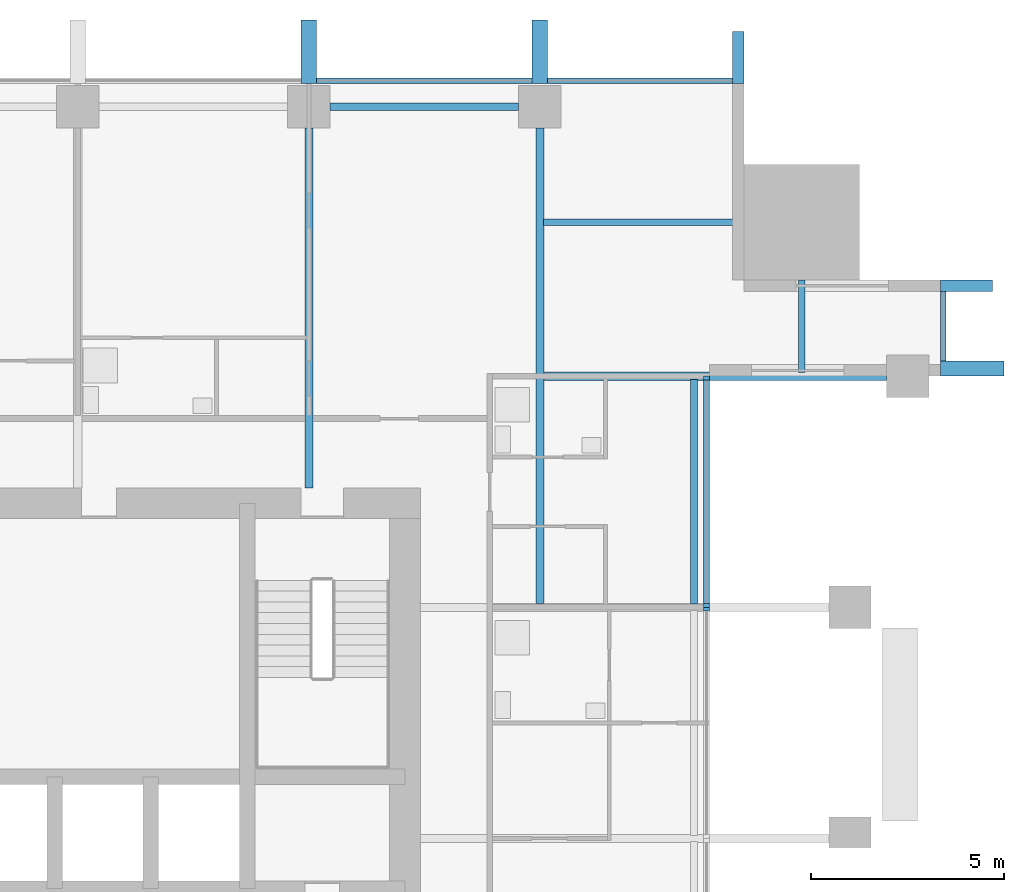
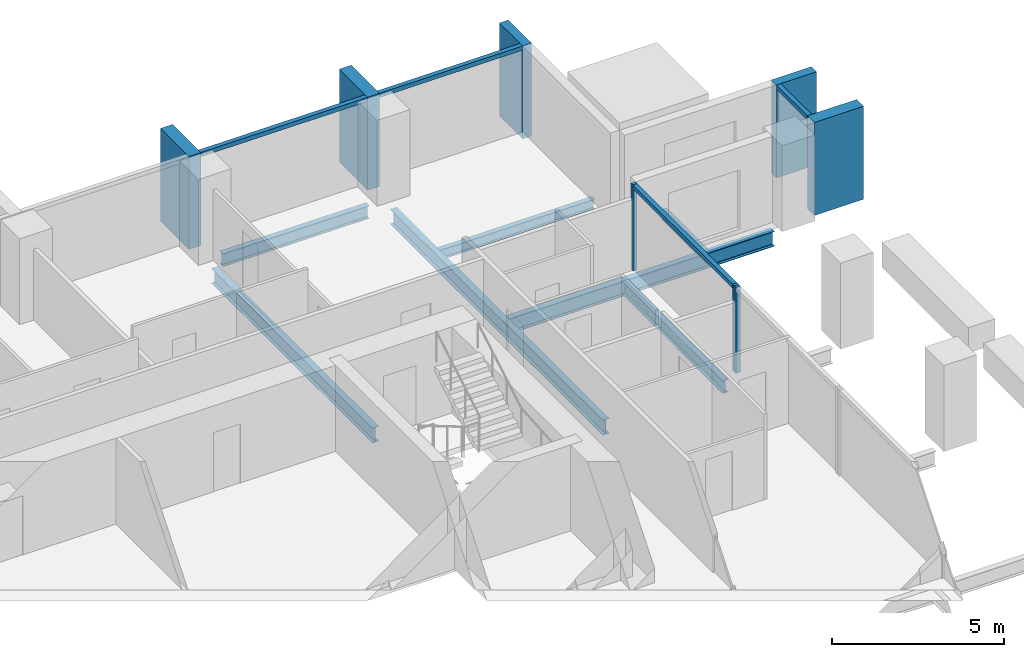
# One storey, part 5 of 13: 12 members, 7 beams, 4 elements without a shape of their own.
"""IFC4 building model written with IfcOpenShell, lengths in metres."""

from ifc_helpers import new_model, si_unit, direction, frame, origin, origin_2d, place, context, subcontext, project, spatial, rectangle, i_section, extrude, material, material_profile, profile_set, type_object, element, aggregate, save


model = new_model("IFC4")

# Units and contexts
model_context = context("Model", 3, precision=1e-05, world=origin(), true_north=direction((0.0, 1.0)))
body_context = subcontext(model_context, "Body", "Model", "MODEL_VIEW")
ifc_project = project(units=[si_unit("LENGTHUNIT", "METRE"), si_unit("AREAUNIT", "SQUARE_METRE"), si_unit("VOLUMEUNIT", "CUBIC_METRE"), si_unit("PLANEANGLEUNIT", "RADIAN"), si_unit("MASSUNIT", "GRAM", prefix="KILO")], contexts=[model_context])

# Site, building, storey
site_placement = place(None, origin())
site = spatial("IfcSite", under=ifc_project, at=site_placement, CompositionType="ELEMENT")
building_placement = place(site_placement, origin())
building = spatial("IfcBuilding", under=site, at=building_placement, Name="Amberfall Residences", CompositionType="ELEMENT")
storey_placement = place(building_placement, frame((0.0, 0.0, 111.699951171875)))
storey = spatial("IfcBuildingStorey", under=building, at=storey_placement, Name="L30", CompositionType="ELEMENT", Elevation=111.699951171875)

# Curtain wall, member
ifc_material_1 = material(Name="Bronze anodised aluminium and glass", Category="aluminium")
curtain_wall_type_1 = type_object("IfcCurtainWallType", Name="Curtain wall CW1 tower unit", PredefinedType="USERDEFINED", material=ifc_material_1)
curtain_wall_1_placement = place(storey_placement, origin())
curtain_wall_1 = element("IfcCurtainWall", 1, at=curtain_wall_1_placement, inside=storey, type_object=curtain_wall_type_1, Name="Curtain wall L30 E E9", ObjectType="UNITISED CURTAIN WALL", PredefinedType="USERDEFINED")
ifc_material_2 = material(Name="Bronze anodised aluminium", Category="aluminium")
ifc_material_profile_1 = material_profile(ifc_material_2, rectangle(XDim=0.14990234375, YDim=0.14990234375, at=origin_2d()), Name="CW1 transom 150 x 150 bronze")
ifc_profile_set_1 = profile_set([ifc_material_profile_1], Name="Bronze anodised aluminium")
member_type_1 = type_object("IfcMemberType", Name="CW1 transom 150 x 150 bronze", PredefinedType="USERDEFINED", material=ifc_profile_set_1)
member_1_placement = place(storey_placement, frame((100.074951171875, 60.800048828125, 2.97509765625), z_axis=(0.0, 1.0, 0.0), x_axis=(-1.0, 0.0, 0.0)))
member_1 = element("IfcMember", 2, at=member_1_placement, type_object=member_type_1, Name="CW1 transom 1.1", ObjectType="TRANSOM", PredefinedType="USERDEFINED", context=body_context, shape_type="SweptSolid", body=[
    extrude(rectangle(XDim=0.14990234375, YDim=0.14990234375, at=origin_2d()), origin(), (0.0, 0.0, 1.0), 1.800048828125),
])

# Curtain wall, members
curtain_wall_2_placement = place(storey_placement, origin())
curtain_wall_2 = element("IfcCurtainWall", 3, at=curtain_wall_2_placement, inside=storey, type_object=curtain_wall_type_1, Name="Curtain wall L30 N N1", ObjectType="UNITISED CURTAIN WALL", PredefinedType="USERDEFINED")
member_2_placement = place(storey_placement, frame((94.60009765625, 68.074951171875, 2.97509765625), z_axis=(-1.0, 0.0, 0.0), x_axis=(0.0, -1.0, 0.0)))
member_2 = element("IfcMember", 4, at=member_2_placement, type_object=member_type_1, Name="CW1 transom 1.1", ObjectType="TRANSOM", PredefinedType="USERDEFINED", context=body_context, shape_type="SweptSolid", body=[
    extrude(rectangle(XDim=0.14990234375, YDim=0.14990234375, at=origin_2d()), origin(), (0.0, 0.0, 1.0), 4.800048828125),
])
member_3_placement = place(storey_placement, frame((89.39990234375, 68.074951171875, 2.97509765625), z_axis=(-1.0, 0.0, 0.0), x_axis=(0.0, -1.0, 0.0)))
member_3 = element("IfcMember", 5, at=member_3_placement, type_object=member_type_1, Name="CW1 transom 2.1", ObjectType="TRANSOM", PredefinedType="USERDEFINED", context=body_context, shape_type="SweptSolid", body=[
    extrude(rectangle(XDim=0.14990234375, YDim=0.14990234375, at=origin_2d()), origin(), (0.0, 0.0, 1.0), 5.599853515625),
])

# Curtain wall, member
curtain_wall_type_2 = type_object("IfcCurtainWallType", Name="Curtain wall CW3 sky garden glazing", PredefinedType="USERDEFINED", material=ifc_material_1)
curtain_wall_3_placement = place(storey_placement, origin())
curtain_wall_3 = element("IfcCurtainWall", 6, at=curtain_wall_3_placement, inside=storey, type_object=curtain_wall_type_2, Name="Curtain wall L30 E E6", ObjectType="UNITISED CURTAIN WALL", PredefinedType="USERDEFINED")
ifc_material_profile_2 = material_profile(ifc_material_2, rectangle(XDim=0.14990234375, YDim=0.10009765625, at=origin_2d()), Name="CW3 mullion 100 x 150 bronze")
ifc_profile_set_2 = profile_set([ifc_material_profile_2], Name="Bronze anodised aluminium")
member_type_2 = type_object("IfcMemberType", Name="CW3 mullion 100 x 150 bronze", PredefinedType="MULLION", material=ifc_profile_set_2)
member_4_placement = place(storey_placement, frame((93.925048828125, 54.35009765625, 0.0), z_axis=(0.0, 0.0, 1.0), x_axis=(-1.0, 0.0, 0.0)))
member_4 = element("IfcMember", 7, at=member_4_placement, type_object=member_type_2, Name="CW3 mullion 2", PredefinedType="MULLION", context=body_context, shape_type="SweptSolid", body=[
    extrude(rectangle(XDim=0.14990234375, YDim=0.10009765625, at=origin_2d()), origin(), (0.0, 0.0, 1.0), 3.050048828125),
])
aggregate(curtain_wall_3, [member_4])

# Curtain wall, members
curtain_wall_4_placement = place(storey_placement, origin())
curtain_wall_4 = element("IfcCurtainWall", 8, at=curtain_wall_4_placement, inside=storey, type_object=curtain_wall_type_2, Name="Curtain wall L30 E E7", ObjectType="UNITISED CURTAIN WALL", PredefinedType="USERDEFINED")
member_5_placement = place(storey_placement, frame((93.925048828125, 54.449951171875, 0.0), z_axis=(0.0, 0.0, 1.0), x_axis=(-1.0, 0.0, 0.0)))
member_5 = element("IfcMember", 9, at=member_5_placement, type_object=member_type_2, Name="CW3 mullion 1", PredefinedType="MULLION", context=body_context, shape_type="SweptSolid", body=[
    extrude(rectangle(XDim=0.14990234375, YDim=0.10009765625, at=origin_2d()), origin(), (0.0, 0.0, 1.0), 3.050048828125),
])
member_6_placement = place(storey_placement, frame((93.925048828125, 60.35009765625, 0.0), z_axis=(0.0, 0.0, 1.0), x_axis=(-1.0, 0.0, 0.0)))
member_6 = element("IfcMember", 10, at=member_6_placement, type_object=member_type_2, Name="CW3 mullion 2", PredefinedType="MULLION", context=body_context, shape_type="SweptSolid", body=[
    extrude(rectangle(XDim=0.14990234375, YDim=0.10009765625, at=origin_2d()), origin(), (0.0, 0.0, 1.0), 3.050048828125),
])
ifc_material_profile_3 = material_profile(ifc_material_2, rectangle(XDim=0.14990234375, YDim=0.14990234375, at=origin_2d()), Name="CW3 transom 150 x 150 bronze")
ifc_profile_set_3 = profile_set([ifc_material_profile_3], Name="Bronze anodised aluminium")
member_type_3 = type_object("IfcMemberType", Name="CW3 transom 150 x 150 bronze", PredefinedType="USERDEFINED", material=ifc_profile_set_3)
member_7_placement = place(storey_placement, frame((93.925048828125, 54.5, 2.97509765625), z_axis=(0.0, 1.0, 0.0), x_axis=(-1.0, 0.0, 0.0)))
member_7 = element("IfcMember", 11, at=member_7_placement, type_object=member_type_3, Name="CW3 transom 1.1", ObjectType="TRANSOM", PredefinedType="USERDEFINED", context=body_context, shape_type="SweptSolid", body=[
    extrude(rectangle(XDim=0.14990234375, YDim=0.14990234375, at=origin_2d()), origin(), (0.0, 0.0, 1.0), 5.800048828125),
])
aggregate(curtain_wall_4, [member_5, member_6, member_7])

# Member
ifc_material_profile_4 = material_profile(ifc_material_2, rectangle(XDim=1.35009765625, YDim=0.300048828125, at=origin_2d()), Name="Corner fin 300 x 1350 bronze")
ifc_profile_set_4 = profile_set([ifc_material_profile_4], Name="Bronze anodised aluminium")
member_type_4 = type_object("IfcMemberType", Name="Corner fin 300 x 1350 bronze", PredefinedType="MULLION", material=ifc_profile_set_4)
member_8_placement = place(storey_placement, frame((100.675048828125, 62.75, -0.25), z_axis=(0.0, 0.0, 1.0), x_axis=(-1.0, 0.0, 0.0)))
member_8 = element("IfcMember", 12, at=member_8_placement, type_object=member_type_4, Name="CW FIN 2", PredefinedType="MULLION", context=body_context, shape_type="SweptSolid", body=[
    extrude(rectangle(XDim=1.35009765625, YDim=0.300048828125, at=origin_2d()), origin(), (0.0, 0.0, 1.0), 3.300048828125),
])

member_9_placement = place(storey_placement, frame((94.75, 68.675048828125, -0.25), z_axis=(0.0, 0.0, 1.0), x_axis=(0.0, -1.0, 0.0)))
member_9 = element("IfcMember", 13, at=member_9_placement, type_object=member_type_4, Name="CW FIN 1", PredefinedType="MULLION", context=body_context, shape_type="SweptSolid", body=[
    extrude(rectangle(XDim=1.35009765625, YDim=0.300048828125, at=origin_2d()), origin(), (0.0, 0.0, 1.0), 3.300048828125),
])

# Beams
ifc_material_3 = material(Name="Steel S355", Category="steel")
ifc_material_profile_5 = material_profile(ifc_material_3, i_section(OverallWidth=0.18994140625, OverallDepth=0.453369140625, WebThickness=0.008544921875, FlangeThickness=0.0126953125, FilletRadius=0.01025390625, at=origin_2d()), Name="UB 457x191x67")
ifc_profile_set_5 = profile_set([ifc_material_profile_5], Name="Steel S355")
beam_type_1 = type_object("IfcBeamType", Name="Edge beam UB 457x191x67", PredefinedType="SPANDREL", material=ifc_profile_set_5)
beam_1_placement = place(storey_placement, frame((93.60009765625, 54.47998046875, -0.4765625), z_axis=(0.0, 1.0, 0.0), x_axis=(-1.0, 0.0, 0.0)))
element("IfcBeam", 14, at=beam_1_placement, inside=storey, type_object=beam_type_1, Name="Edge beam B1 L30 16", PredefinedType="SPANDREL", context=body_context, shape_type="SweptSolid", body=[
    extrude(i_section(OverallWidth=0.18994140625, OverallDepth=0.453369140625, WebThickness=0.008544921875, FlangeThickness=0.0126953125, FilletRadius=0.01025390625, at=origin_2d()), origin(), (0.0, 0.0, 1.0), 5.840087890625),
])
beam_2_placement = place(storey_placement, frame((84.14990234375, 67.39990234375, -0.4765625), z_axis=(1.0, 0.0, 0.0), x_axis=(0.0, 1.0, 0.0)))
element("IfcBeam", 15, at=beam_2_placement, inside=storey, type_object=beam_type_1, Name="Edge beam B1 L30 27", PredefinedType="SPANDREL", context=body_context, shape_type="SweptSolid", body=[
    extrude(i_section(OverallWidth=0.18994140625, OverallDepth=0.453369140625, WebThickness=0.008544921875, FlangeThickness=0.0126953125, FilletRadius=0.01025390625, at=origin_2d()), origin(), (0.0, 0.0, 1.0), 4.900146484375),
])

# Member
ifc_material_profile_6 = material_profile(ifc_material_2, rectangle(XDim=1.64990234375, YDim=0.39990234375, at=origin_2d()), Name="Fin 400 x 1650 bronze")
ifc_profile_set_6 = profile_set([ifc_material_profile_6], Name="Bronze anodised aluminium")
member_type_5 = type_object("IfcMemberType", Name="Fin 400 x 1650 bronze", PredefinedType="MULLION", material=ifc_profile_set_6)
member_10_placement = place(storey_placement, frame((100.824951171875, 60.60009765625, -0.25), z_axis=(0.0, 0.0, 1.0), x_axis=(-1.0, 0.0, 0.0)))
member_10 = element("IfcMember", 16, at=member_10_placement, type_object=member_type_5, Name="CW FIN 1", PredefinedType="MULLION", context=body_context, shape_type="SweptSolid", body=[
    extrude(rectangle(XDim=1.64990234375, YDim=0.39990234375, at=origin_2d()), origin(), (0.0, 0.0, 1.0), 3.300048828125),
])

aggregate(curtain_wall_1, [member_10, member_8, member_1])

member_11_placement = place(storey_placement, frame((89.60009765625, 68.824951171875, -0.25), z_axis=(0.0, 0.0, 1.0), x_axis=(0.0, -1.0, 0.0)))
member_11 = element("IfcMember", 17, at=member_11_placement, type_object=member_type_5, Name="CW FIN 2", PredefinedType="MULLION", context=body_context, shape_type="SweptSolid", body=[
    extrude(rectangle(XDim=1.64990234375, YDim=0.39990234375, at=origin_2d()), origin(), (0.0, 0.0, 1.0), 3.300048828125),
])

member_12_placement = place(storey_placement, frame((83.60009765625, 68.824951171875, -0.25), z_axis=(0.0, 0.0, 1.0), x_axis=(0.0, -1.0, 0.0)))
member_12 = element("IfcMember", 18, at=member_12_placement, type_object=member_type_5, Name="CW FIN 3", PredefinedType="MULLION", context=body_context, shape_type="SweptSolid", body=[
    extrude(rectangle(XDim=1.64990234375, YDim=0.39990234375, at=origin_2d()), origin(), (0.0, 0.0, 1.0), 3.300048828125),
])

aggregate(curtain_wall_2, [member_9, member_11, member_12, member_2, member_3])

# Beams
ifc_material_profile_7 = material_profile(ifc_material_3, i_section(OverallWidth=0.210693359375, OverallDepth=0.53955078125, WebThickness=0.01171875, FlangeThickness=0.018798828125, FilletRadius=0.0126953125, at=origin_2d()), Name="UB 533x210x109")
ifc_profile_set_7 = profile_set([ifc_material_profile_7], Name="Steel S355")
beam_type_2 = type_object("IfcBeamType", Name="Floor girder UB 533x210x109", PredefinedType="BEAM", material=ifc_profile_set_7)
beam_3_placement = place(storey_placement, frame((89.60009765625, 66.85009765625, -0.519775390625), z_axis=(0.0, -1.0, 0.0), x_axis=(1.0, 0.0, 0.0)))
element("IfcBeam", 19, at=beam_3_placement, inside=storey, type_object=beam_type_2, Name="Floor girder B2 L30 33", PredefinedType="BEAM", context=body_context, shape_type="SweptSolid", body=[
    extrude(i_section(OverallWidth=0.210693359375, OverallDepth=0.53955078125, WebThickness=0.01171875, FlangeThickness=0.018798828125, FilletRadius=0.0126953125, at=origin_2d()), origin(), (0.0, 0.0, 1.0), 12.3505859375),
])
ifc_material_profile_8 = material_profile(ifc_material_3, i_section(OverallWidth=0.209228515625, OverallDepth=0.533203125, WebThickness=0.010009765625, FlangeThickness=0.015625, FilletRadius=0.0126953125, at=origin_2d()), Name="UB 533x210x92")
ifc_profile_set_8 = profile_set([ifc_material_profile_8], Name="Steel S355")
beam_type_3 = type_object("IfcBeamType", Name="Floor girder UB 533x210x92", PredefinedType="BEAM", material=ifc_profile_set_8)
beam_4_placement = place(storey_placement, frame((98.60009765625, 60.39990234375, -0.5166015625), z_axis=(-1.0, 0.0, 0.0), x_axis=(0.0, -1.0, 0.0)))
element("IfcBeam", 20, at=beam_4_placement, inside=storey, type_object=beam_type_3, Name="Floor girder B3 L30 22", PredefinedType="BEAM", context=body_context, shape_type="SweptSolid", body=[
    extrude(i_section(OverallWidth=0.209228515625, OverallDepth=0.533203125, WebThickness=0.010009765625, FlangeThickness=0.015625, FilletRadius=0.0126953125, at=origin_2d()), origin(), (0.0, 0.0, 1.0), 8.880126953125),
])
beam_5_placement = place(storey_placement, frame((83.60009765625, 66.85009765625, -0.5166015625), z_axis=(0.0, -1.0, 0.0), x_axis=(1.0, 0.0, 0.0)))
element("IfcBeam", 21, at=beam_5_placement, inside=storey, type_object=beam_type_3, Name="Floor girder B3 L30 32", PredefinedType="BEAM", context=body_context, shape_type="SweptSolid", body=[
    extrude(i_section(OverallWidth=0.209228515625, OverallDepth=0.533203125, WebThickness=0.010009765625, FlangeThickness=0.015625, FilletRadius=0.0126953125, at=origin_2d()), origin(), (0.0, 0.0, 1.0), 9.35009765625),
])
ifc_material_profile_9 = material_profile(ifc_material_3, i_section(OverallWidth=0.171142578125, OverallDepth=0.351318359375, WebThickness=0.007080078125, FlangeThickness=0.009765625, FilletRadius=0.01025390625, at=origin_2d()), Name="UB 356x171x45")
ifc_profile_set_9 = profile_set([ifc_material_profile_9], Name="Steel S355")
beam_type_4 = type_object("IfcBeamType", Name="Link beam UB 356x171x45", PredefinedType="BEAM", material=ifc_profile_set_9)
beam_6_placement = place(storey_placement, frame((94.89990234375, 64.39990234375, -0.425537109375), z_axis=(-1.0, 0.0, 0.0), x_axis=(0.0, -1.0, 0.0)))
element("IfcBeam", 22, at=beam_6_placement, inside=storey, type_object=beam_type_4, Name="Link beam B7 L30 50", PredefinedType="BEAM", context=body_context, shape_type="SweptSolid", body=[
    extrude(i_section(OverallWidth=0.171142578125, OverallDepth=0.351318359375, WebThickness=0.007080078125, FlangeThickness=0.009765625, FilletRadius=0.01025390625, at=origin_2d()), origin(), (0.0, 0.0, 1.0), 5.20458984375),
])
beam_7_placement = place(storey_placement, frame((96.39990234375, 62.89990234375, -0.425537109375), z_axis=(0.0, -1.0, 0.0), x_axis=(1.0, 0.0, 0.0)))
element("IfcBeam", 23, at=beam_7_placement, inside=storey, type_object=beam_type_4, Name="Link beam B7 L30 51", PredefinedType="BEAM", context=body_context, shape_type="SweptSolid", body=[
    extrude(i_section(OverallWidth=0.171142578125, OverallDepth=0.351318359375, WebThickness=0.007080078125, FlangeThickness=0.009765625, FilletRadius=0.01025390625, at=origin_2d()), origin(), (0.0, 0.0, 1.0), 2.4052734375),
])

save(model, "model.ifc")
